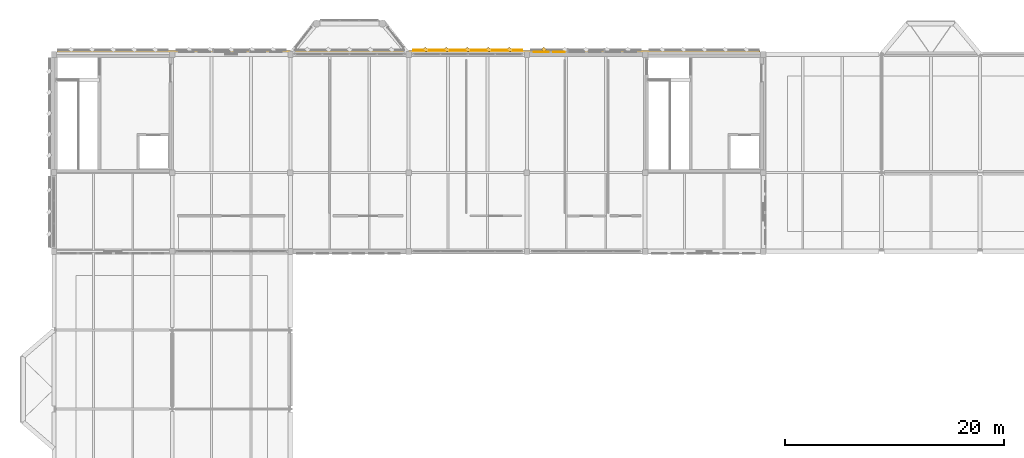
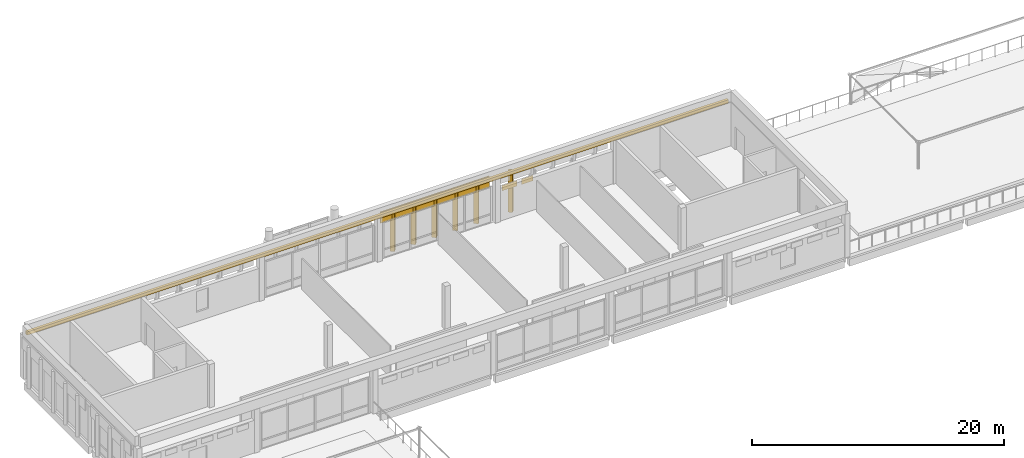
# One storey, part 31 of 33: 10 coverings.
"""IFC4 building model written with IfcOpenShell, lengths in metres."""

import ifcopenshell
import ifcopenshell.guid

model = None  # the IFC model being written
_history = None  # IfcOwnerHistory: only IFC2X3 demands one
_inside = {}  # id of a spatial element -> (the spatial element, [elements in it])
_under = {}  # id of a project, library or spatial element -> (it, [spatial elements below it])
_declared = {}  # id of a project -> (the project, [libraries it declares])
_typed = {}  # id of a type object -> (the type object, [elements of that type])
_made_of = {}  # id of a material, layer set ... -> (it, [elements and type objects made of it])


def new_model(schema):
    """Start an empty IFC model of exactly this schema.

    Asked for "IFC4X3", IfcOpenShell would pick the latest addendum, in which some entities
    have other attributes; the version numbers below select the first issue.
    IFC2X3 requires an IfcOwnerHistory on every rooted entity: one is made here for all.
    """
    global model, _history
    if schema == "IFC4X3":
        model = ifcopenshell.file(schema_version=(4, 3, 0, 0))
    else:
        model = ifcopenshell.file(schema=schema)
    _inside.clear()
    _under.clear()
    _declared.clear()
    _typed.clear()
    _made_of.clear()
    _history = None
    if model.schema == "IFC2X3":
        org = make("IfcOrganization", Name="unknown")
        user = make(
            "IfcPersonAndOrganization",
            ThePerson=make("IfcPerson", FamilyName="unknown"),
            TheOrganization=org,
        )
        app = make(
            "IfcApplication",
            ApplicationDeveloper=org,
            Version="unknown",
            ApplicationFullName="unknown",
            ApplicationIdentifier="unknown",
        )
        _history = make(
            "IfcOwnerHistory",
            OwningUser=user,
            OwningApplication=app,
            ChangeAction="ADDED",
            CreationDate=0,
        )
    return model


def make(cls, **values):
    """One entity of the class cls with the attributes given. An attribute that is None is left unset."""
    return model.create_entity(
        cls, **{name: value for name, value in values.items() if value is not None}
    )


def rooted(cls, **values):
    """An entity with a GlobalId (a new one), such as an element, a storey or a relation."""
    return make(cls, GlobalId=ifcopenshell.guid.new(), OwnerHistory=_history, **values)


def si_unit(unit_type, name, prefix=None):
    """IfcSIUnit, for example si_unit("LENGTHUNIT", "METRE", prefix="MILLI")."""
    return make("IfcSIUnit", UnitType=unit_type, Prefix=prefix, Name=name)


def assignment(units):
    """IfcUnitAssignment: the units of a project."""
    return None if units is None else make("IfcUnitAssignment", Units=units)


def point(xyz):
    """IfcCartesianPoint."""
    return None if xyz is None else make("IfcCartesianPoint", Coordinates=xyz)


def direction(xyz):
    """IfcDirection."""
    return None if xyz is None else make("IfcDirection", DirectionRatios=xyz)


def frame(location, z_axis=None, x_axis=None):
    """IfcAxis2Placement3D, a coordinate frame: its origin and axes. An axis left out is left unset."""
    return make(
        "IfcAxis2Placement3D",
        Location=point(location),
        Axis=direction(z_axis),
        RefDirection=direction(x_axis),
    )


def frame_2d(location, x_axis=None):
    """IfcAxis2Placement2D, a coordinate frame in the plane: its origin and x axis."""
    return make(
        "IfcAxis2Placement2D", Location=point(location), RefDirection=direction(x_axis)
    )


def origin():
    """The frame at (0, 0, 0) with its axes left unset."""
    return frame((0.0, 0.0, 0.0))


def origin_2d():
    """The frame at (0, 0) in the plane with its x axis left unset."""
    return frame_2d((0.0, 0.0))


def place(relative_to, where):
    """IfcLocalPlacement: puts the frame where relative to a parent placement (None: the world)."""
    return make(
        "IfcLocalPlacement", PlacementRelTo=relative_to, RelativePlacement=where
    )


def context(
    kind, dimensions, precision=None, world=None, true_north=None, identifier=None
):
    """IfcGeometricRepresentationContext, for example the 3D "Model" context."""
    return make(
        "IfcGeometricRepresentationContext",
        ContextIdentifier=identifier,
        ContextType=kind,
        CoordinateSpaceDimension=dimensions,
        Precision=precision,
        WorldCoordinateSystem=world,
        TrueNorth=true_north,
    )


def subcontext(parent, identifier, kind, view, scale=None):
    """IfcGeometricRepresentationSubContext, for example "Body" below "Model"."""
    return make(
        "IfcGeometricRepresentationSubContext",
        ContextIdentifier=identifier,
        ContextType=kind,
        ParentContext=parent,
        TargetScale=scale,
        TargetView=view,
    )


def project(units=None, contexts=None):
    """IfcProject with its units and contexts."""
    return rooted(
        "IfcProject",
        Name="project",
        RepresentationContexts=contexts,
        UnitsInContext=assignment(units),
    )


def spatial(cls, under=None, at=None, **own):
    """A site, building, storey or space (cls), placed at a placement, below another one or the project."""
    s = rooted(cls, ObjectPlacement=at, **own)
    if under is not None:
        _under.setdefault(under.id(), (under, []))[1].append(s)
    return s


def profile(cls, at=None, kind="AREA", **sizes):
    """A parametric profile (cls). Its sizes go by their IFC names, for example OverallWidth=200.0."""
    return make(cls, ProfileType=kind, Position=at, **sizes)


def rectangle(**sizes):
    """IfcRectangleProfileDef."""
    return profile("IfcRectangleProfileDef", **sizes)


def extrude(swept, where, along, depth):
    """IfcExtrudedAreaSolid: the profile swept, set in the frame where, extruded along a direction by depth."""
    return make(
        "IfcExtrudedAreaSolid",
        SweptArea=swept,
        Position=where,
        ExtrudedDirection=direction(along),
        Depth=depth,
    )


def shape(context_of_items, identifier, shape_type, items):
    """IfcShapeRepresentation: the items that make up one representation, for example the "Body"."""
    return make(
        "IfcShapeRepresentation",
        ContextOfItems=context_of_items,
        RepresentationIdentifier=identifier,
        RepresentationType=shape_type,
        Items=items,
    )


def material(Name=None, Category=None):
    """IfcMaterial."""
    return make("IfcMaterial", Name=Name, Category=Category)


def layer(
    of_material, thickness, ventilated=None, Name=None, Category=None, Priority=None
):
    """IfcMaterialLayer: one layer of a wall or slab, of a material (None: an air gap)."""
    return make(
        "IfcMaterialLayer",
        Material=of_material,
        LayerThickness=thickness,
        IsVentilated=ventilated,
        Name=Name,
        Category=Category,
        Priority=Priority,
    )


def layer_set(layers, Name=None):
    """IfcMaterialLayerSet."""
    return make("IfcMaterialLayerSet", MaterialLayers=layers, LayerSetName=Name)


def made_of(thing, what):
    """Note that an element or type object is made of a material, layer set ...; save() writes the relation."""
    if what is not None:
        _made_of.setdefault(what.id(), (what, []))[1].append(thing)
    return thing


def type_object(cls, material=None, **own):
    """A type object (cls), such as IfcWallType, which elements share."""
    return made_of(rooted(cls, **own), material)


def element(
    cls,
    number,
    at=None,
    inside=None,
    cuts=None,
    type_object=None,
    material=None,
    context=None,
    identifier="Body",
    shape_type=None,
    held_by="IfcProductDefinitionShape",
    body=None,
    shapes=None,
    **own,
):
    """One element of the class cls, such as IfcWall. Its Tag is "e" and its number.

    at: its placement. inside: the storey or other place that contains it. cuts: it is an
    opening in that element (IfcRelVoidsElement). A single representation is given by context,
    identifier, shape_type and body (its items); several are given by shapes. held_by: the class
    of the entity that holds the representations. save() writes the other relations.
    """
    e = rooted(cls, Tag="e%d" % number, ObjectPlacement=at, **own)
    if body is not None:
        shapes = [shape(context, identifier, shape_type, body)]
    if shapes is not None:
        e.Representation = make(held_by, Representations=shapes)
    if inside is not None:
        _inside.setdefault(inside.id(), (inside, []))[1].append(e)
    if cuts is not None:
        rooted(
            "IfcRelVoidsElement", RelatingBuildingElement=cuts, RelatedOpeningElement=e
        )
    if type_object is not None:
        _typed.setdefault(type_object.id(), (type_object, []))[1].append(e)
    return made_of(e, material)


def aggregate(whole, parts):
    """IfcRelAggregates: a whole, such as a stair, and the parts it consists of."""
    return rooted("IfcRelAggregates", RelatingObject=whole, RelatedObjects=parts)


def save(model, path):
    """Write the relations noted so far, then the file.

    IfcRelAggregates (storeys below a building ...), IfcRelContainedInSpatialStructure (elements
    in a storey), IfcRelDefinesByType, IfcRelAssociatesMaterial and IfcRelDeclares: one each for
    every whole, place, type object, material and project.
    """
    for whole, parts in _under.values():
        aggregate(whole, parts)
    for where, things in _inside.values():
        rooted(
            "IfcRelContainedInSpatialStructure",
            RelatedElements=things,
            RelatingStructure=where,
        )
    for kind, things in _typed.values():
        rooted("IfcRelDefinesByType", RelatedObjects=things, RelatingType=kind)
    for what, things in _made_of.values():
        rooted("IfcRelAssociatesMaterial", RelatedObjects=things, RelatingMaterial=what)
    for by, libraries in _declared.values():
        rooted("IfcRelDeclares", RelatingContext=by, RelatedDefinitions=libraries)
    model.write(path)


model = new_model("IFC4")

# Units and contexts
model_context = context("Model", 3, precision=1e-05, world=origin(), true_north=direction((0.0, 1.0)))
body_context = subcontext(model_context, "Body", "Model", "MODEL_VIEW")
ifc_project = project(units=[si_unit("LENGTHUNIT", "METRE"), si_unit("AREAUNIT", "SQUARE_METRE"), si_unit("VOLUMEUNIT", "CUBIC_METRE"), si_unit("PLANEANGLEUNIT", "RADIAN"), si_unit("MASSUNIT", "GRAM", prefix="KILO")], contexts=[model_context])

# Site, building, storey
site_placement = place(None, origin())
site = spatial("IfcSite", under=ifc_project, at=site_placement, CompositionType="ELEMENT")
building_placement = place(site_placement, origin())
building = spatial("IfcBuilding", under=site, at=building_placement, Name="Lusvemor Sports Hall", CompositionType="ELEMENT")
storey_placement = place(building_placement, frame((0.0, 0.0, 19.199951171875)))
storey = spatial("IfcBuildingStorey", under=building, at=storey_placement, Name="L04", CompositionType="ELEMENT", Elevation=19.199951171875)

# Coverings
ifc_material_1 = material(Name="Precast granite-faced Concrete C40/50 architectural cladding", Category="masonry")
ifc_layer_1 = layer(ifc_material_1, 0.055908203125)
ifc_layer_set_1 = layer_set([ifc_layer_1], Name="Precast granite-faced Concrete C40/50 architectural cladding")
covering_type_1 = type_object("IfcCoveringType", Name="CLAD_RELIEF_FRIEZE", PredefinedType="CLADDING", material=ifc_layer_set_1)
covering_1_placement = place(storey_placement, frame((32.39990234375, 115.419921875, 3.8798828125), z_axis=(0.0, 0.0, 1.0), x_axis=(1.0, 0.0, 0.0)))
element("IfcCovering", 1, at=covering_1_placement, inside=storey, type_object=covering_type_1, Name="Art Nouveau Sculpted Roofline Cornice 676", PredefinedType="CLADDING", context=body_context, shape_type="SweptSolid", body=[
    extrude(rectangle(XDim=64.199951171875, YDim=0.239990234375, at=origin_2d()), origin(), (0.0, 0.0, 1.0), 0.320068359375),
])
ifc_material_2 = material(Name="Emerald polychrome glazed ceramic cladding on Concrete C40/50 backing", Category="concrete")
ifc_layer_2 = layer(ifc_material_2, 0.0458984375)
ifc_layer_set_2 = layer_set([ifc_layer_2], Name="Emerald polychrome glazed ceramic cladding on Concrete C40/50 backing")
covering_type_2 = type_object("IfcCoveringType", Name="CLAD_WAVE_EMERALD", PredefinedType="CLADDING", material=ifc_layer_set_2)
covering_2_placement = place(storey_placement, frame((44.5166015625, 115.39794921875, 2.56494140625), z_axis=(0.0, 0.0, 1.0), x_axis=(1.0, 0.0, 0.0)))
element("IfcCovering", 2, at=covering_2_placement, inside=storey, type_object=covering_type_2, Name="Art Nouveau Patterned Cladding PS-EW-L04-N-1-4-1", PredefinedType="CLADDING", context=body_context, shape_type="SweptSolid", body=[
    extrude(rectangle(XDim=1.33935546875, YDim=0.0458984375, at=origin_2d()), origin(), (0.0, 0.0, 1.0), 0.510009765625),
])
for number, where, z_axis, x_axis, name in (
    (3, (35.8798828125, 115.639892578125, 0.10009765625), (0.0, 0.0, 1.0), (0.707106781187, 0.707106781187, 0.0), "Patterned Diamond Cladding Rib 612"),
    (4, (39.719970703125, 115.639892578125, 0.10009765625), (0.0, 0.0, 1.0), (0.707106781187, 0.707106781187, 0.0), "Patterned Diamond Cladding Rib 614"),
):
    element("IfcCovering", number, at=place(storey_placement, frame(where, z_axis=z_axis, x_axis=x_axis)), inside=storey, type_object=covering_type_2, Name=name, PredefinedType="CLADDING", context=body_context, shape_type="SweptSolid", body=[
        extrude(rectangle(XDim=0.280029296875, YDim=0.3798828125, at=origin_2d()), origin(), (0.0, 0.0, 1.0), 4.0),
    ])
ifc_material_3 = material(Name="Warm terracotta Art Nouveau ceramic cladding on Concrete C40/50 backing", Category="masonry")
ifc_layer_3 = layer(ifc_material_3, 0.0380859375)
ifc_layer_set_3 = layer_set([ifc_layer_3], Name="Warm terracotta Art Nouveau ceramic cladding on Concrete C40/50 backing")
covering_type_3 = type_object("IfcCoveringType", Name="CLAD_WAVE_OCHRE", PredefinedType="CLADDING", material=ifc_layer_set_3)
covering_3_placement = place(storey_placement, frame((46.14990234375, 115.39404296875, 2.56494140625), z_axis=(0.0, 0.0, 1.0), x_axis=(1.0, 0.0, 0.0)))
element("IfcCovering", 5, at=covering_3_placement, inside=storey, type_object=covering_type_3, Name="Art Nouveau Patterned Cladding PS-EW-L04-N-1-4-2", PredefinedType="CLADDING", context=body_context, shape_type="SweptSolid", body=[
    extrude(rectangle(XDim=1.04541015625, YDim=0.0380859375, at=origin_2d()), origin(), (0.0, 0.0, 1.0), 0.510009765625),
])
covering_4_placement = place(storey_placement, frame((37.800048828125, 115.590087890625, 3.179931640625), z_axis=(0.0, 0.0, 1.0), x_axis=(1.0, 0.0, 0.0)))
element("IfcCovering", 6, at=covering_4_placement, inside=storey, type_object=covering_type_3, Name="Art Nouveau Spandrel Cornice 610", PredefinedType="CLADDING", context=body_context, shape_type="SweptSolid", body=[
    extrude(rectangle(XDim=9.97998046875, YDim=0.090087890625, at=origin_2d()), origin(), (0.0, 0.0, 1.0), 1.080078125),
])
ifc_material_4 = material(Name="Warm terracotta Art Nouveau ceramic cladding on Concrete C40/50 backing", Category="masonry")
ifc_layer_4 = layer(ifc_material_4, 0.449951171875)
ifc_layer_set_4 = layer_set([ifc_layer_4], Name="Warm terracotta Art Nouveau ceramic cladding on Concrete C40/50 backing")
covering_type_4 = type_object("IfcCoveringType", Name="FIN_BRISE_CER_450", PredefinedType="MOLDING", material=ifc_layer_set_4)
for number, where, z_axis, x_axis, name in (
    (7, (33.9599609375, 115.639892578125, 0.10009765625), (0.0, 0.0, 1.0), (0.707106781187, 0.707106781187, 0.0), "Patterned Diamond Cladding Rib 611"),
    (8, (37.800048828125, 115.639892578125, 0.10009765625), (0.0, 0.0, 1.0), (0.707106781187, 0.707106781187, 0.0), "Patterned Diamond Cladding Rib 613"),
    (9, (41.639892578125, 115.639892578125, 0.10009765625), (0.0, 0.0, 1.0), (0.707106781187, 0.707106781187, 0.0), "Patterned Diamond Cladding Rib 615"),
    (10, (44.760009765625, 115.639892578125, 0.10009765625), (0.0, 0.0, 1.0), (0.707106781187, 0.707106781187, 0.0), "Patterned Diamond Cladding Rib 641"),
):
    element("IfcCovering", number, at=place(storey_placement, frame(where, z_axis=z_axis, x_axis=x_axis)), inside=storey, type_object=covering_type_4, Name=name, PredefinedType="MOLDING", context=body_context, shape_type="SweptSolid", body=[
        extrude(rectangle(XDim=0.280029296875, YDim=0.3798828125, at=origin_2d()), origin(), (0.0, 0.0, 1.0), 4.0),
    ])

save(model, "model.ifc")
